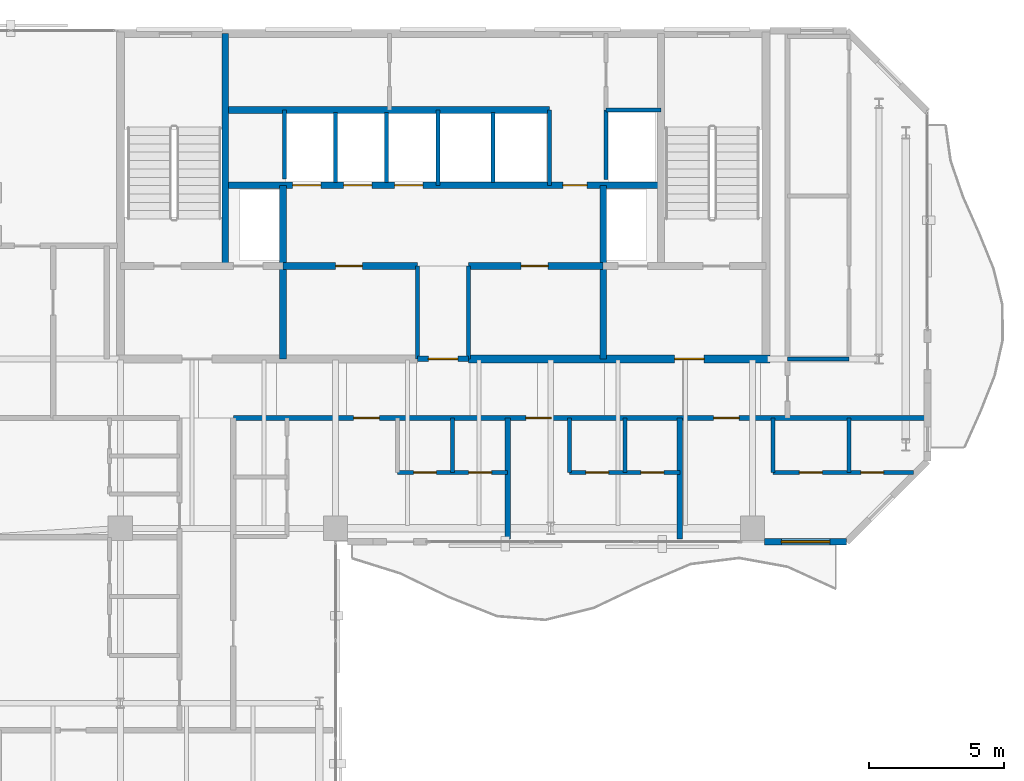
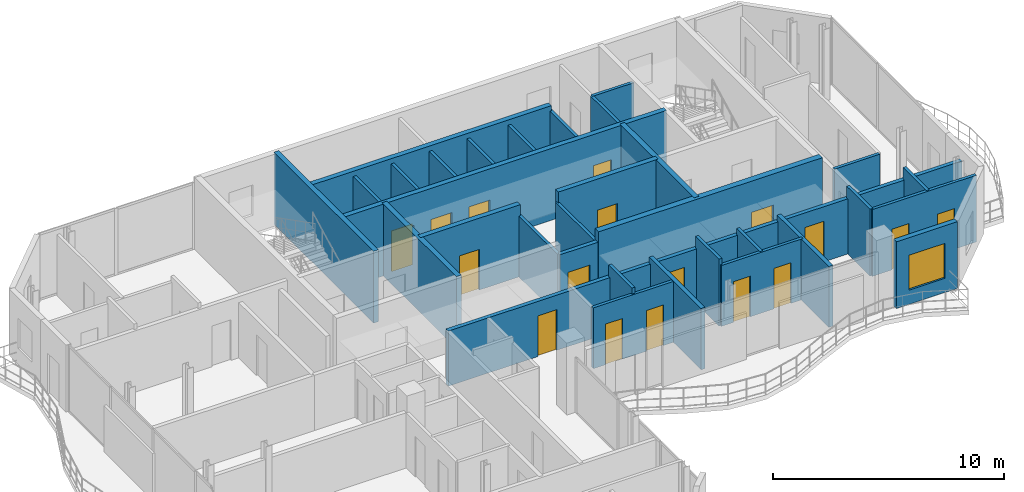
# One storey, part 19 of 22: 32 walls, 17 doors, 1 window, 18 openings.
"""IFC4 building model written with IfcOpenShell, lengths in metres."""

from ifc_helpers import new_model, si_unit, direction, frame, frame_2d, origin, place, context, subcontext, project, spatial, rectangle, extrude, material, layer, layer_set, type_object, element, fill, save


model = new_model("IFC4")

# Units and contexts
model_context = context("Model", 3, precision=1e-05, world=origin(), true_north=direction((0.0, 1.0)))
body_context = subcontext(model_context, "Body", "Model", "MODEL_VIEW")
ifc_project = project(units=[si_unit("LENGTHUNIT", "METRE"), si_unit("AREAUNIT", "SQUARE_METRE"), si_unit("VOLUMEUNIT", "CUBIC_METRE"), si_unit("PLANEANGLEUNIT", "RADIAN"), si_unit("MASSUNIT", "GRAM", prefix="KILO")], contexts=[model_context])

# Site, building, storey
site_placement = place(None, origin())
site = spatial("IfcSite", under=ifc_project, at=site_placement, CompositionType="ELEMENT")
building_placement = place(site_placement, origin())
building = spatial("IfcBuilding", under=site, at=building_placement, Name="Catumbela Crestline Tower", CompositionType="ELEMENT")
storey_placement = place(building_placement, frame((0.0, 0.0, 229.8)))
storey = spatial("IfcBuildingStorey", under=building, at=storey_placement, Name="L59", CompositionType="ELEMENT", Elevation=229.8)

# Walls
ifc_material_1 = material(Name="Concrete C50/60", Category="concrete")
ifc_layer_1 = layer(ifc_material_1, 0.25, Name="Concrete C50/60")
ifc_layer_set_1 = layer_set([ifc_layer_1], Name="Concrete C50/60")
wall_type_1 = type_object("IfcWallType", Name="CW-250D", PredefinedType="SHEAR", material=ifc_layer_set_1)
wall_1_placement = place(storey_placement, frame((19.9, 34.25, 0.0), z_axis=(0.0, 0.0, 1.0), x_axis=(0.0, 1.0, 0.0)))
element("IfcWall", 1, at=wall_1_placement, inside=storey, type_object=wall_type_1, Name="L59 Structural Core Shear Wall WWEB", PredefinedType="SHEAR", context=body_context, shape_type="SweptSolid", body=[
    extrude(rectangle(XDim=8.65, YDim=0.25, at=frame_2d((4.325, 0.0))), origin(), (0.0, 0.0, 1.0), 3.8),
])
for number, where, z_axis, x_axis, name in (
    (2, (22.05, 30.8, 0.0), (0.0, 0.0, 1.0), (0.0, 1.0, 0.0), "L59 Structural Core Shear Wall FFW"),
    (3, (33.95, 30.8, 0.0), (0.0, 0.0, 1.0), (0.0, 1.0, 0.0), "L59 Structural Core Shear Wall FFE"),
):
    element("IfcWall", number, at=place(storey_placement, frame(where, z_axis=z_axis, x_axis=x_axis)), inside=storey, type_object=wall_type_1, Name=name, PredefinedType="SHEAR", context=body_context, shape_type="SweptSolid", body=[
        extrude(rectangle(XDim=6.45, YDim=0.25, at=frame_2d((3.225, 0.0))), origin(), (0.0, 0.0, 1.0), 3.8),
    ])

# Wall, opening, door
wall_2_placement = place(storey_placement, frame((22.05, 34.25, 0.0), z_axis=(0.0, 0.0, 1.0), x_axis=(1.0, 0.0, 0.0)))
wall_2 = element("IfcWall", 4, at=wall_2_placement, inside=storey, type_object=wall_type_1, Name="L59 Structural Core Shear Wall LIFTS-W", PredefinedType="SHEAR", context=body_context, shape_type="SweptSolid", body=[
    extrude(rectangle(XDim=5.0, YDim=0.25, at=frame_2d((2.5, 0.0))), origin(), (0.0, 0.0, 1.0), 3.8),
])
opening_1_placement = place(wall_2_placement, frame((1.95, 0.0, 0.0)))
opening_1 = element("IfcOpeningElement", 5, at=opening_1_placement, cuts=wall_2, Name="Opening DF9-100", PredefinedType="OPENING", context=body_context, shape_type="SweptSolid", body=[
    extrude(rectangle(XDim=1.0, YDim=2.15, at=frame_2d((0.5, 1.075))), frame((0.0, 0.135, 0.0), z_axis=(0.0, -1.0, 0.0), x_axis=(1.0, 0.0, 0.0)), (0.0, 0.0, 1.0), 0.27),
])
ifc_material_2 = material(Name="Stainless steel EN 1.4401", Category="steel")
door_type_1 = type_object("IfcDoorType", Name="DF9-100", OperationType="NOTDEFINED", PredefinedType="DOOR", material=ifc_material_2)
door_1_placement = place(opening_1_placement, origin())
door_1 = element("IfcDoor", 6, at=door_1_placement, inside=storey, type_object=door_type_1, Name="L59 Interior Door DR-L59-RECL1", OperationType="SINGLE_SWING_LEFT", OverallHeight=2.15, OverallWidth=1.0, PredefinedType="DOOR", context=body_context, shape_type="SweptSolid", body=[
    extrude(rectangle(XDim=1.0, YDim=2.15, at=frame_2d((0.5, 1.075))), frame((0.0, 0.025, 0.0), z_axis=(0.0, -1.0, 0.0), x_axis=(1.0, 0.0, 0.0)), (0.0, 0.0, 1.0), 0.05),
])
fill(opening_1, door_1)

wall_3_placement = place(storey_placement, frame((28.95, 34.25, 0.0), z_axis=(0.0, 0.0, 1.0), x_axis=(1.0, 0.0, 0.0)))
wall_3 = element("IfcWall", 7, at=wall_3_placement, inside=storey, type_object=wall_type_1, Name="L59 Structural Core Shear Wall LIFTS-E", PredefinedType="SHEAR", context=body_context, shape_type="SweptSolid", body=[
    extrude(rectangle(XDim=5.0, YDim=0.25, at=frame_2d((2.5, 0.0))), origin(), (0.0, 0.0, 1.0), 3.8),
])
opening_2_placement = place(wall_3_placement, frame((1.95, 0.0, 0.0)))
opening_2 = element("IfcOpeningElement", 8, at=opening_2_placement, cuts=wall_3, Name="Opening DF9-100", PredefinedType="OPENING", context=body_context, shape_type="SweptSolid", body=[
    extrude(rectangle(XDim=1.0, YDim=2.15, at=frame_2d((0.5, 1.075))), frame((0.0, 0.135, 0.0), z_axis=(0.0, -1.0, 0.0), x_axis=(1.0, 0.0, 0.0)), (0.0, 0.0, 1.0), 0.27),
])
door_2_placement = place(opening_2_placement, origin())
door_2 = element("IfcDoor", 9, at=door_2_placement, inside=storey, type_object=door_type_1, Name="L59 Interior Door DR-L59-RECL2", OperationType="SINGLE_SWING_RIGHT", OverallHeight=2.15, OverallWidth=1.0, PredefinedType="DOOR", context=body_context, shape_type="SweptSolid", body=[
    extrude(rectangle(XDim=1.0, YDim=2.15, at=frame_2d((0.5, 1.075))), frame((0.0, 0.025, 0.0), z_axis=(0.0, -1.0, 0.0), x_axis=(1.0, 0.0, 0.0)), (0.0, 0.0, 1.0), 0.05),
])
fill(opening_2, door_2)

# Wall, openings, doors
wall_4_placement = place(storey_placement, frame((19.9, 37.25, 0.0), z_axis=(0.0, 0.0, 1.0), x_axis=(1.0, 0.0, 0.0)))
wall_4 = element("IfcWall", 10, at=wall_4_placement, inside=storey, type_object=wall_type_1, Name="L59 Structural Core Shear Wall LIFTN", PredefinedType="SHEAR", context=body_context, shape_type="SweptSolid", body=[
    extrude(rectangle(XDim=16.2, YDim=0.25, at=frame_2d((8.1, 0.0))), origin(), (0.0, 0.0, 1.0), 3.8),
])
opening_3_placement = place(wall_4_placement, frame((12.55, 0.0, 0.0)))
opening_3 = element("IfcOpeningElement", 11, at=opening_3_placement, cuts=wall_4, Name="Opening DF9-090", PredefinedType="OPENING", context=body_context, shape_type="SweptSolid", body=[
    extrude(rectangle(XDim=0.9, YDim=2.15, at=frame_2d((0.45, 1.075))), frame((0.0, 0.135, 0.0), z_axis=(0.0, -1.0, 0.0), x_axis=(1.0, 0.0, 0.0)), (0.0, 0.0, 1.0), 0.27),
])
opening_4_placement = place(wall_4_placement, frame((2.5, 0.0, 0.0)))
opening_4 = element("IfcOpeningElement", 12, at=opening_4_placement, cuts=wall_4, Name="Opening LD-105", PredefinedType="OPENING", context=body_context, shape_type="SweptSolid", body=[
    extrude(rectangle(XDim=1.05, YDim=2.15, at=frame_2d((0.525, 1.075))), frame((0.0, 0.135, 0.0), z_axis=(0.0, -1.0, 0.0), x_axis=(1.0, 0.0, 0.0)), (0.0, 0.0, 1.0), 0.27),
])
opening_5_placement = place(wall_4_placement, frame((4.4, 0.0, 0.0)))
opening_5 = element("IfcOpeningElement", 13, at=opening_5_placement, cuts=wall_4, Name="Opening LD-105", PredefinedType="OPENING", context=body_context, shape_type="SweptSolid", body=[
    extrude(rectangle(XDim=1.05, YDim=2.15, at=frame_2d((0.525, 1.075))), frame((0.0, 0.135, 0.0), z_axis=(0.0, -1.0, 0.0), x_axis=(1.0, 0.0, 0.0)), (0.0, 0.0, 1.0), 0.27),
])
opening_6_placement = place(wall_4_placement, frame((6.3, 0.0, 0.0)))
opening_6 = element("IfcOpeningElement", 14, at=opening_6_placement, cuts=wall_4, Name="Opening LD-105", PredefinedType="OPENING", context=body_context, shape_type="SweptSolid", body=[
    extrude(rectangle(XDim=1.05, YDim=2.15, at=frame_2d((0.525, 1.075))), frame((0.0, 0.135, 0.0), z_axis=(0.0, -1.0, 0.0), x_axis=(1.0, 0.0, 0.0)), (0.0, 0.0, 1.0), 0.27),
])
door_type_2 = type_object("IfcDoorType", Name="DF9-090", OperationType="NOTDEFINED", PredefinedType="DOOR", material=ifc_material_2)
door_3_placement = place(opening_3_placement, origin())
door_3 = element("IfcDoor", 15, at=door_3_placement, inside=storey, type_object=door_type_2, Name="L59 Interior Door DR-L59-CPAS1", OperationType="SINGLE_SWING_LEFT", OverallHeight=2.15, OverallWidth=0.9, PredefinedType="DOOR", context=body_context, shape_type="SweptSolid", body=[
    extrude(rectangle(XDim=0.9, YDim=2.15, at=frame_2d((0.45, 1.075))), frame((0.0, 0.025, 0.0), z_axis=(0.0, -1.0, 0.0), x_axis=(1.0, 0.0, 0.0)), (0.0, 0.0, 1.0), 0.05),
])
fill(opening_3, door_3)
door_type_3 = type_object("IfcDoorType", Name="LD-105", OperationType="NOTDEFINED", PredefinedType="DOOR", material=ifc_material_2)
door_4_placement = place(opening_4_placement, origin())
door_4 = element("IfcDoor", 16, at=door_4_placement, inside=storey, type_object=door_type_3, Name="L59 Lift Landing Sliding Door PL-H1", OperationType="DOUBLE_DOOR_SLIDING", OverallHeight=2.15, OverallWidth=1.05, PredefinedType="DOOR", context=body_context, shape_type="SweptSolid", body=[
    extrude(rectangle(XDim=1.05, YDim=2.15, at=frame_2d((0.525, 1.075))), frame((0.0, 0.025, 0.0), z_axis=(0.0, -1.0, 0.0), x_axis=(1.0, 0.0, 0.0)), (0.0, 0.0, 1.0), 0.05),
])
fill(opening_4, door_4)
door_5_placement = place(opening_5_placement, origin())
door_5 = element("IfcDoor", 17, at=door_5_placement, inside=storey, type_object=door_type_3, Name="L59 Lift Landing Sliding Door PL-H2", OperationType="DOUBLE_DOOR_SLIDING", OverallHeight=2.15, OverallWidth=1.05, PredefinedType="DOOR", context=body_context, shape_type="SweptSolid", body=[
    extrude(rectangle(XDim=1.05, YDim=2.15, at=frame_2d((0.525, 1.075))), frame((0.0, 0.025, 0.0), z_axis=(0.0, -1.0, 0.0), x_axis=(1.0, 0.0, 0.0)), (0.0, 0.0, 1.0), 0.05),
])
fill(opening_5, door_5)
door_6_placement = place(opening_6_placement, origin())
door_6 = element("IfcDoor", 18, at=door_6_placement, inside=storey, type_object=door_type_3, Name="L59 Lift Landing Sliding Door PL-H3", OperationType="DOUBLE_DOOR_SLIDING", OverallHeight=2.15, OverallWidth=1.05, PredefinedType="DOOR", context=body_context, shape_type="SweptSolid", body=[
    extrude(rectangle(XDim=1.05, YDim=2.15, at=frame_2d((0.525, 1.075))), frame((0.0, 0.025, 0.0), z_axis=(0.0, -1.0, 0.0), x_axis=(1.0, 0.0, 0.0)), (0.0, 0.0, 1.0), 0.05),
])
fill(opening_6, door_6)

# Wall
wall_5_placement = place(storey_placement, frame((19.9, 40.05, 0.0), z_axis=(0.0, 0.0, 1.0), x_axis=(1.0, 0.0, 0.0)))
element("IfcWall", 19, at=wall_5_placement, inside=storey, type_object=wall_type_1, Name="L59 Structural Core Shear Wall COREN", PredefinedType="SHEAR", context=body_context, shape_type="SweptSolid", body=[
    extrude(rectangle(XDim=12.05, YDim=0.25, at=frame_2d((6.025, 0.0))), origin(), (0.0, 0.0, 1.0), 3.8),
])

# Wall, opening, door
ifc_material_3 = material(Name="Concrete C45/55", Category="concrete")
ifc_layer_2 = layer(ifc_material_3, 0.3, Name="Concrete C45/55")
ifc_layer_set_2 = layer_set([ifc_layer_2], Name="Concrete C45/55")
wall_type_2 = type_object("IfcWallType", Name="CW-300C", PredefinedType="SHEAR", material=ifc_layer_set_2)
wall_6_placement = place(storey_placement, frame((28.95, 30.8, 0.0), z_axis=(0.0, 0.0, 1.0), x_axis=(1.0, 0.0, 0.0)))
wall_6 = element("IfcWall", 20, at=wall_6_placement, inside=storey, type_object=wall_type_2, Name="L59 Structural Core Shear Wall SE", PredefinedType="SHEAR", context=body_context, shape_type="SweptSolid", body=[
    extrude(rectangle(XDim=11.2, YDim=0.3, at=frame_2d((5.6, 0.0))), origin(), (0.0, 0.0, 1.0), 3.8),
])
opening_7_placement = place(wall_6_placement, frame((7.65, 0.0, 0.0)))
opening_7 = element("IfcOpeningElement", 21, at=opening_7_placement, cuts=wall_6, Name="Opening DF9-110", PredefinedType="OPENING", context=body_context, shape_type="SweptSolid", body=[
    extrude(rectangle(XDim=1.1, YDim=2.15, at=frame_2d((0.55, 1.075))), frame((0.0, 0.16, 0.0), z_axis=(0.0, -1.0, 0.0), x_axis=(1.0, 0.0, 0.0)), (0.0, 0.0, 1.0), 0.32),
])
door_type_4 = type_object("IfcDoorType", Name="DF9-110", OperationType="NOTDEFINED", PredefinedType="DOOR", material=ifc_material_2)
door_7_placement = place(opening_7_placement, origin())
door_7 = element("IfcDoor", 22, at=door_7_placement, inside=storey, type_object=door_type_4, Name="L59 Interior Door DR-L59-FFE-S", OperationType="SINGLE_SWING_RIGHT", OverallHeight=2.15, OverallWidth=1.1, PredefinedType="DOOR", context=body_context, shape_type="SweptSolid", body=[
    extrude(rectangle(XDim=1.1, YDim=2.15, at=frame_2d((0.55, 1.075))), frame((0.0, 0.025, 0.0), z_axis=(0.0, -1.0, 0.0), x_axis=(1.0, 0.0, 0.0)), (0.0, 0.0, 1.0), 0.05),
])
fill(opening_7, door_7)

ifc_material_4 = material(Name="Acoustic gypsum and mineral-wool partition")
ifc_layer_3 = layer(ifc_material_4, 0.2, Name="Acoustic gypsum and mineral-wool partition")
ifc_layer_set_3 = layer_set([ifc_layer_3], Name="Acoustic gypsum and mineral-wool partition")
wall_type_3 = type_object("IfcWallType", Name="WC-200", PredefinedType="PARTITIONING", material=ifc_layer_set_3)
wall_7_placement = place(storey_placement, frame((27.05, 30.8, 0.0), z_axis=(0.0, 0.0, 1.0), x_axis=(1.0, 0.0, 0.0)))
wall_7 = element("IfcWall", 23, at=wall_7_placement, inside=storey, type_object=wall_type_3, Name="L59 Interior Partition PW-L59-CLOBS", PredefinedType="PARTITIONING", context=body_context, shape_type="SweptSolid", body=[
    extrude(rectangle(XDim=1.9, YDim=0.2, at=frame_2d((0.95, 0.0))), origin(), (0.0, 0.0, 1.0), 3.22),
])
opening_8_placement = place(wall_7_placement, frame((0.4, 0.0, 0.0)))
opening_8 = element("IfcOpeningElement", 24, at=opening_8_placement, cuts=wall_7, Name="Opening DF9-110", PredefinedType="OPENING", context=body_context, shape_type="SweptSolid", body=[
    extrude(rectangle(XDim=1.1, YDim=2.15, at=frame_2d((0.55, 1.075))), frame((0.0, 0.11, 0.0), z_axis=(0.0, -1.0, 0.0), x_axis=(1.0, 0.0, 0.0)), (0.0, 0.0, 1.0), 0.22),
])
door_8_placement = place(opening_8_placement, origin())
door_8 = element("IfcDoor", 25, at=door_8_placement, inside=storey, type_object=door_type_4, Name="L59 Interior Door DR-L59-CLOBS", OperationType="SINGLE_SWING_LEFT", OverallHeight=2.15, OverallWidth=1.1, PredefinedType="DOOR", context=body_context, shape_type="SweptSolid", body=[
    extrude(rectangle(XDim=1.1, YDim=2.15, at=frame_2d((0.55, 1.075))), frame((0.0, 0.025, 0.0), z_axis=(0.0, -1.0, 0.0), x_axis=(1.0, 0.0, 0.0)), (0.0, 0.0, 1.0), 0.05),
])
fill(opening_8, door_8)

# Wall, openings, doors
wall_8_placement = place(storey_placement, frame((20.2, 28.6, 0.0), z_axis=(0.0, 0.0, 1.0), x_axis=(1.0, 0.0, 0.0)))
wall_8 = element("IfcWall", 26, at=wall_8_placement, inside=storey, type_object=wall_type_3, Name="L59 Interior Partition PW-L59-RCWR", PredefinedType="PARTITIONING", context=body_context, shape_type="SweptSolid", body=[
    extrude(rectangle(XDim=25.7, YDim=0.2, at=frame_2d((12.85, 0.0))), origin(), (0.0, 0.0, 1.0), 2.92),
])
opening_9_placement = place(wall_8_placement, frame((4.475, 0.0, 0.0)))
opening_9 = element("IfcOpeningElement", 27, at=opening_9_placement, cuts=wall_8, Name="Opening DF6-095", PredefinedType="OPENING", context=body_context, shape_type="SweptSolid", body=[
    extrude(rectangle(XDim=0.95, YDim=2.15, at=frame_2d((0.475, 1.075))), frame((0.0, 0.11, 0.0), z_axis=(0.0, -1.0, 0.0), x_axis=(1.0, 0.0, 0.0)), (0.0, 0.0, 1.0), 0.22),
])
opening_10_placement = place(wall_8_placement, frame((10.875, 0.0, 0.0)))
opening_10 = element("IfcOpeningElement", 28, at=opening_10_placement, cuts=wall_8, Name="Opening DF6-095", PredefinedType="OPENING", context=body_context, shape_type="SweptSolid", body=[
    extrude(rectangle(XDim=0.95, YDim=2.15, at=frame_2d((0.475, 1.075))), frame((0.0, 0.11, 0.0), z_axis=(0.0, -1.0, 0.0), x_axis=(1.0, 0.0, 0.0)), (0.0, 0.0, 1.0), 0.22),
])
opening_11_placement = place(wall_8_placement, frame((17.854, 0.0, 0.0)))
opening_11 = element("IfcOpeningElement", 29, at=opening_11_placement, cuts=wall_8, Name="Opening DF6-095", PredefinedType="OPENING", context=body_context, shape_type="SweptSolid", body=[
    extrude(rectangle(XDim=0.95, YDim=2.15, at=frame_2d((0.475, 1.075))), frame((0.0, 0.11, 0.0), z_axis=(0.0, -1.0, 0.0), x_axis=(1.0, 0.0, 0.0)), (0.0, 0.0, 1.0), 0.22),
])
ifc_material_5 = material(Name="Aluminium alloy AW-6060-T66", Category="aluminium")
door_type_5 = type_object("IfcDoorType", Name="DF6-095", OperationType="NOTDEFINED", PredefinedType="DOOR", material=ifc_material_5)
door_9_placement = place(opening_9_placement, origin())
door_9 = element("IfcDoor", 30, at=door_9_placement, inside=storey, type_object=door_type_5, Name="L59 Interior Door DR-L59-S1-ENT", OperationType="SINGLE_SWING_LEFT", OverallHeight=2.15, OverallWidth=0.95, PredefinedType="DOOR", context=body_context, shape_type="SweptSolid", body=[
    extrude(rectangle(XDim=0.95, YDim=2.15, at=frame_2d((0.475, 1.075))), frame((0.0, 0.025, 0.0), z_axis=(0.0, -1.0, 0.0), x_axis=(1.0, 0.0, 0.0)), (0.0, 0.0, 1.0), 0.05),
])
fill(opening_9, door_9)
door_10_placement = place(opening_10_placement, origin())
door_10 = element("IfcDoor", 31, at=door_10_placement, inside=storey, type_object=door_type_5, Name="L59 Interior Door DR-L59-S2-ENT", OperationType="SINGLE_SWING_RIGHT", OverallHeight=2.15, OverallWidth=0.95, PredefinedType="DOOR", context=body_context, shape_type="SweptSolid", body=[
    extrude(rectangle(XDim=0.95, YDim=2.15, at=frame_2d((0.475, 1.075))), frame((0.0, 0.025, 0.0), z_axis=(0.0, -1.0, 0.0), x_axis=(1.0, 0.0, 0.0)), (0.0, 0.0, 1.0), 0.05),
])
fill(opening_10, door_10)
door_11_placement = place(opening_11_placement, origin())
door_11 = element("IfcDoor", 32, at=door_11_placement, inside=storey, type_object=door_type_5, Name="L59 Interior Door DR-L59-S3-ENT", OperationType="SINGLE_SWING_LEFT", OverallHeight=2.15, OverallWidth=0.95, PredefinedType="DOOR", context=body_context, shape_type="SweptSolid", body=[
    extrude(rectangle(XDim=0.95, YDim=2.15, at=frame_2d((0.475, 1.075))), frame((0.0, 0.025, 0.0), z_axis=(0.0, -1.0, 0.0), x_axis=(1.0, 0.0, 0.0)), (0.0, 0.0, 1.0), 0.05),
])
fill(opening_11, door_11)

# Wall, opening, window
ifc_material_6 = material(Name="Angolan grey-ochre granite", Category="masonry")
ifc_layer_4 = layer(ifc_material_6, 0.25, Name="Angolan grey-ochre granite")
ifc_layer_set_4 = layer_set([ifc_layer_4], Name="Angolan grey-ochre granite")
wall_type_4 = type_object("IfcWallType", Name="WE-250", PredefinedType="STANDARD", material=ifc_layer_set_4)
wall_9_placement = place(storey_placement, frame((39.95, 24.0, 0.0), z_axis=(0.0, 0.0, 1.0), x_axis=(1.0, 0.0, 0.0)))
wall_9 = element("IfcWall", 33, at=wall_9_placement, inside=storey, type_object=wall_type_4, Name="L59 Granite Punched Window Wall 3-3", PredefinedType="STANDARD", context=body_context, shape_type="SweptSolid", body=[
    extrude(rectangle(XDim=3.05, YDim=0.25, at=frame_2d((1.525, 0.0))), origin(), (0.0, 0.0, 1.0), 3.53),
])
opening_12_placement = place(wall_9_placement, frame((0.625, 0.0, 0.75)))
opening_12 = element("IfcOpeningElement", 34, at=opening_12_placement, cuts=wall_9, Name="Opening WN-01", PredefinedType="OPENING", context=body_context, shape_type="SweptSolid", body=[
    extrude(rectangle(XDim=1.8, YDim=1.85, at=frame_2d((0.9, 0.925))), frame((0.0, 0.135, 0.0), z_axis=(0.0, -1.0, 0.0), x_axis=(1.0, 0.0, 0.0)), (0.0, 0.0, 1.0), 0.27),
])
ifc_material_7 = material(Name="Low-E laminated solar-control double glazing", Category="glass")
window_type = type_object("IfcWindowType", Name="WF-1800", PartitioningType="SINGLE_PANEL", PredefinedType="WINDOW", material=ifc_material_7)
window_placement = place(opening_12_placement, origin())
window = element("IfcWindow", 35, at=window_placement, inside=storey, type_object=window_type, Name="L59 Facade Vision Window 421", OverallHeight=1.85, OverallWidth=1.8, PartitioningType="SINGLE_PANEL", PredefinedType="WINDOW", context=body_context, shape_type="SweptSolid", body=[
    extrude(rectangle(XDim=1.8, YDim=1.85, at=frame_2d((0.9, 0.925))), frame((0.0, 0.03, 0.0), z_axis=(0.0, -1.0, 0.0), x_axis=(1.0, 0.0, 0.0)), (0.0, 0.0, 1.0), 0.06),
])
fill(opening_12, window)

# Walls
ifc_layer_5 = layer(ifc_material_4, 0.15, Name="Acoustic gypsum and mineral-wool partition")
ifc_layer_set_5 = layer_set([ifc_layer_5], Name="Acoustic gypsum and mineral-wool partition")
wall_type_5 = type_object("IfcWallType", Name="WP-150", PredefinedType="PARTITIONING", material=ifc_layer_set_5)
wall_10_placement = place(storey_placement, frame((34.05, 40.05, 0.0), z_axis=(0.0, 0.0, 1.0), x_axis=(1.0, 0.0, 0.0)))
element("IfcWall", 36, at=wall_10_placement, inside=storey, type_object=wall_type_5, Name="L59 Interior Partition PW-L59-CR-ES", PredefinedType="PARTITIONING", context=body_context, shape_type="SweptSolid", body=[
    extrude(rectangle(XDim=2.05, YDim=0.15, at=frame_2d((1.025, 0.0))), origin(), (0.0, 0.0, 1.0), 3.53),
])
wall_11_placement = place(storey_placement, frame((40.8, 30.8, 0.0), z_axis=(0.0, 0.0, 1.0), x_axis=(1.0, 0.0, 0.0)))
element("IfcWall", 37, at=wall_11_placement, inside=storey, type_object=wall_type_5, Name="L59 Interior Partition PW-L59-NE1-KBS", PredefinedType="PARTITIONING", context=body_context, shape_type="SweptSolid", body=[
    extrude(rectangle(XDim=2.28, YDim=0.15, at=frame_2d((1.14, 0.0))), origin(), (0.0, 0.0, 1.0), 2.92),
])
wall_12_placement = place(storey_placement, frame((28.35, 26.576, 0.0), z_axis=(0.0, 0.0, 1.0), x_axis=(0.0, 1.0, 0.0)))
element("IfcWall", 38, at=wall_12_placement, inside=storey, type_object=wall_type_5, Name="L59 Interior Partition PW-L59-S1-KBM", PredefinedType="PARTITIONING", context=body_context, shape_type="SweptSolid", body=[
    extrude(rectangle(XDim=2.024, YDim=0.15, at=frame_2d((1.012, 0.0))), origin(), (0.0, 0.0, 1.0), 3.53),
])

# Wall, openings, doors
wall_13_placement = place(storey_placement, frame((26.3, 26.576, 0.0), z_axis=(0.0, 0.0, 1.0), x_axis=(1.0, 0.0, 0.0)))
wall_13 = element("IfcWall", 39, at=wall_13_placement, inside=storey, type_object=wall_type_5, Name="L59 Interior Partition PW-L59-S1-KBD1", PredefinedType="PARTITIONING", context=body_context, shape_type="SweptSolid", body=[
    extrude(rectangle(XDim=4.1, YDim=0.15, at=frame_2d((2.05, 0.0))), origin(), (0.0, 0.0, 1.0), 3.22),
])
opening_13_placement = place(wall_13_placement, frame((0.6, 0.0, 0.0)))
opening_13 = element("IfcOpeningElement", 40, at=opening_13_placement, cuts=wall_13, Name="Opening DI-085", PredefinedType="OPENING", context=body_context, shape_type="SweptSolid", body=[
    extrude(rectangle(XDim=0.85, YDim=2.15, at=frame_2d((0.425, 1.075))), frame((0.0, 0.085, 0.0), z_axis=(0.0, -1.0, 0.0), x_axis=(1.0, 0.0, 0.0)), (0.0, 0.0, 1.0), 0.17),
])
opening_14_placement = place(wall_13_placement, frame((2.65, 0.0, 0.0)))
opening_14 = element("IfcOpeningElement", 41, at=opening_14_placement, cuts=wall_13, Name="Opening DI-085", PredefinedType="OPENING", context=body_context, shape_type="SweptSolid", body=[
    extrude(rectangle(XDim=0.85, YDim=2.15, at=frame_2d((0.425, 1.075))), frame((0.0, 0.085, 0.0), z_axis=(0.0, -1.0, 0.0), x_axis=(1.0, 0.0, 0.0)), (0.0, 0.0, 1.0), 0.17),
])
door_type_6 = type_object("IfcDoorType", Name="DI-085", OperationType="NOTDEFINED", PredefinedType="DOOR", material=ifc_material_5)
door_12_placement = place(opening_13_placement, origin())
door_12 = element("IfcDoor", 42, at=door_12_placement, inside=storey, type_object=door_type_6, Name="L59 Interior Door DR-L59-S1-BTH", OperationType="SINGLE_SWING_LEFT", OverallHeight=2.15, OverallWidth=0.85, PredefinedType="DOOR", context=body_context, shape_type="SweptSolid", body=[
    extrude(rectangle(XDim=0.85, YDim=2.15, at=frame_2d((0.425, 1.075))), frame((0.0, 0.025, 0.0), z_axis=(0.0, -1.0, 0.0), x_axis=(1.0, 0.0, 0.0)), (0.0, 0.0, 1.0), 0.05),
])
fill(opening_13, door_12)
door_13_placement = place(opening_14_placement, origin())
door_13 = element("IfcDoor", 43, at=door_13_placement, inside=storey, type_object=door_type_6, Name="L59 Interior Door DR-L59-S1-KIT", OperationType="SINGLE_SWING_RIGHT", OverallHeight=2.15, OverallWidth=0.85, PredefinedType="DOOR", context=body_context, shape_type="SweptSolid", body=[
    extrude(rectangle(XDim=0.85, YDim=2.15, at=frame_2d((0.425, 1.075))), frame((0.0, 0.025, 0.0), z_axis=(0.0, -1.0, 0.0), x_axis=(1.0, 0.0, 0.0)), (0.0, 0.0, 1.0), 0.05),
])
fill(opening_14, door_13)

# Walls
wall_14_placement = place(storey_placement, frame((32.7, 26.576, 0.0), z_axis=(0.0, 0.0, 1.0), x_axis=(0.0, 1.0, 0.0)))
element("IfcWall", 44, at=wall_14_placement, inside=storey, type_object=wall_type_5, Name="L59 Interior Partition PW-L59-S2-KBW", PredefinedType="PARTITIONING", context=body_context, shape_type="SweptSolid", body=[
    extrude(rectangle(XDim=2.024, YDim=0.15, at=frame_2d((1.012, 0.0))), origin(), (0.0, 0.0, 1.0), 3.53),
])
wall_15_placement = place(storey_placement, frame((34.75, 26.576, 0.0), z_axis=(0.0, 0.0, 1.0), x_axis=(0.0, 1.0, 0.0)))
element("IfcWall", 45, at=wall_15_placement, inside=storey, type_object=wall_type_5, Name="L59 Interior Partition PW-L59-S2-KBM", PredefinedType="PARTITIONING", context=body_context, shape_type="SweptSolid", body=[
    extrude(rectangle(XDim=2.024, YDim=0.15, at=frame_2d((1.012, 0.0))), origin(), (0.0, 0.0, 1.0), 3.22),
])

# Wall, openings, doors
wall_16_placement = place(storey_placement, frame((32.7, 26.576, 0.0), z_axis=(0.0, 0.0, 1.0), x_axis=(1.0, 0.0, 0.0)))
wall_16 = element("IfcWall", 46, at=wall_16_placement, inside=storey, type_object=wall_type_5, Name="L59 Interior Partition PW-L59-S2-KBD1", PredefinedType="PARTITIONING", context=body_context, shape_type="SweptSolid", body=[
    extrude(rectangle(XDim=4.1, YDim=0.15, at=frame_2d((2.05, 0.0))), origin(), (0.0, 0.0, 1.0), 3.22),
])
opening_15_placement = place(wall_16_placement, frame((0.6, 0.0, 0.0)))
opening_15 = element("IfcOpeningElement", 47, at=opening_15_placement, cuts=wall_16, Name="Opening DI-085", PredefinedType="OPENING", context=body_context, shape_type="SweptSolid", body=[
    extrude(rectangle(XDim=0.85, YDim=2.15, at=frame_2d((0.425, 1.075))), frame((0.0, 0.085, 0.0), z_axis=(0.0, -1.0, 0.0), x_axis=(1.0, 0.0, 0.0)), (0.0, 0.0, 1.0), 0.17),
])
opening_16_placement = place(wall_16_placement, frame((2.65, 0.0, 0.0)))
opening_16 = element("IfcOpeningElement", 48, at=opening_16_placement, cuts=wall_16, Name="Opening DI-085", PredefinedType="OPENING", context=body_context, shape_type="SweptSolid", body=[
    extrude(rectangle(XDim=0.85, YDim=2.15, at=frame_2d((0.425, 1.075))), frame((0.0, 0.085, 0.0), z_axis=(0.0, -1.0, 0.0), x_axis=(1.0, 0.0, 0.0)), (0.0, 0.0, 1.0), 0.17),
])
door_14_placement = place(opening_15_placement, origin())
door_14 = element("IfcDoor", 49, at=door_14_placement, inside=storey, type_object=door_type_6, Name="L59 Interior Door DR-L59-S2-BTH", OperationType="SINGLE_SWING_LEFT", OverallHeight=2.15, OverallWidth=0.85, PredefinedType="DOOR", context=body_context, shape_type="SweptSolid", body=[
    extrude(rectangle(XDim=0.85, YDim=2.15, at=frame_2d((0.425, 1.075))), frame((0.0, 0.025, 0.0), z_axis=(0.0, -1.0, 0.0), x_axis=(1.0, 0.0, 0.0)), (0.0, 0.0, 1.0), 0.05),
])
fill(opening_15, door_14)
door_15_placement = place(opening_16_placement, origin())
door_15 = element("IfcDoor", 50, at=door_15_placement, inside=storey, type_object=door_type_6, Name="L59 Interior Door DR-L59-S2-KIT", OperationType="SINGLE_SWING_RIGHT", OverallHeight=2.15, OverallWidth=0.85, PredefinedType="DOOR", context=body_context, shape_type="SweptSolid", body=[
    extrude(rectangle(XDim=0.85, YDim=2.15, at=frame_2d((0.425, 1.075))), frame((0.0, 0.025, 0.0), z_axis=(0.0, -1.0, 0.0), x_axis=(1.0, 0.0, 0.0)), (0.0, 0.0, 1.0), 0.05),
])
fill(opening_16, door_15)

# Walls
for number, where, z_axis, x_axis, name in (
    (51, (40.258, 26.576, 0.0), (0.0, 0.0, 1.0), (0.0, 1.0, 0.0), "L59 Interior Partition PW-L59-S3-KBW"),
    (52, (43.079, 26.576, 0.0), (0.0, 0.0, 1.0), (0.0, 1.0, 0.0), "L59 Interior Partition PW-L59-S3-KBM"),
):
    element("IfcWall", number, at=place(storey_placement, frame(where, z_axis=z_axis, x_axis=x_axis)), inside=storey, type_object=wall_type_5, Name=name, PredefinedType="PARTITIONING", context=body_context, shape_type="SweptSolid", body=[
        extrude(rectangle(XDim=2.024, YDim=0.15, at=frame_2d((1.012, 0.0))), origin(), (0.0, 0.0, 1.0), 3.53),
    ])

# Wall, openings, doors
wall_17_placement = place(storey_placement, frame((40.258, 26.576, 0.0), z_axis=(0.0, 0.0, 1.0), x_axis=(1.0, 0.0, 0.0)))
wall_17 = element("IfcWall", 53, at=wall_17_placement, inside=storey, type_object=wall_type_5, Name="L59 Interior Partition PW-L59-S3-KBD1", PredefinedType="PARTITIONING", context=body_context, shape_type="SweptSolid", body=[
    extrude(rectangle(XDim=5.218, YDim=0.15, at=frame_2d((2.609, 0.0))), origin(), (0.0, 0.0, 1.0), 3.53),
])
opening_17_placement = place(wall_17_placement, frame((0.9855, 0.0, 0.0)))
opening_17 = element("IfcOpeningElement", 54, at=opening_17_placement, cuts=wall_17, Name="Opening DI-085", PredefinedType="OPENING", context=body_context, shape_type="SweptSolid", body=[
    extrude(rectangle(XDim=0.85, YDim=2.15, at=frame_2d((0.425, 1.075))), frame((0.0, 0.085, 0.0), z_axis=(0.0, -1.0, 0.0), x_axis=(1.0, 0.0, 0.0)), (0.0, 0.0, 1.0), 0.17),
])
opening_18_placement = place(wall_17_placement, frame((3.2665, 0.0, 0.0)))
opening_18 = element("IfcOpeningElement", 55, at=opening_18_placement, cuts=wall_17, Name="Opening DI-085", PredefinedType="OPENING", context=body_context, shape_type="SweptSolid", body=[
    extrude(rectangle(XDim=0.85, YDim=2.15, at=frame_2d((0.425, 1.075))), frame((0.0, 0.085, 0.0), z_axis=(0.0, -1.0, 0.0), x_axis=(1.0, 0.0, 0.0)), (0.0, 0.0, 1.0), 0.17),
])
door_16_placement = place(opening_17_placement, origin())
door_16 = element("IfcDoor", 56, at=door_16_placement, inside=storey, type_object=door_type_6, Name="L59 Interior Door DR-L59-S3-BTH", OperationType="SINGLE_SWING_LEFT", OverallHeight=2.15, OverallWidth=0.85, PredefinedType="DOOR", context=body_context, shape_type="SweptSolid", body=[
    extrude(rectangle(XDim=0.85, YDim=2.15, at=frame_2d((0.425, 1.075))), frame((0.0, 0.025, 0.0), z_axis=(0.0, -1.0, 0.0), x_axis=(1.0, 0.0, 0.0)), (0.0, 0.0, 1.0), 0.05),
])
fill(opening_17, door_16)
door_17_placement = place(opening_18_placement, origin())
door_17 = element("IfcDoor", 57, at=door_17_placement, inside=storey, type_object=door_type_6, Name="L59 Interior Door DR-L59-S3-KIT", OperationType="SINGLE_SWING_LEFT", OverallHeight=2.15, OverallWidth=0.85, PredefinedType="DOOR", context=body_context, shape_type="SweptSolid", body=[
    extrude(rectangle(XDim=0.85, YDim=2.15, at=frame_2d((0.425, 1.075))), frame((0.0, 0.025, 0.0), z_axis=(0.0, -1.0, 0.0), x_axis=(1.0, 0.0, 0.0)), (0.0, 0.0, 1.0), 0.05),
])
fill(opening_18, door_17)

# Walls
ifc_layer_6 = layer(ifc_material_4, 0.2, Name="Acoustic gypsum and mineral-wool partition")
ifc_layer_set_6 = layer_set([ifc_layer_6], Name="Acoustic gypsum and mineral-wool partition")
wall_type_6 = type_object("IfcWallType", Name="WY-200", PredefinedType="PARTITIONING", material=ifc_layer_set_6)
wall_18_placement = place(storey_placement, frame((30.4, 24.1, 0.0), z_axis=(0.0, 0.0, 1.0), x_axis=(0.0, 1.0, 0.0)))
element("IfcWall", 58, at=wall_18_placement, inside=storey, type_object=wall_type_6, Name="L59 Interior Partition PW-L59-RSPP-2", PredefinedType="PARTITIONING", context=body_context, shape_type="SweptSolid", body=[
    extrude(rectangle(XDim=4.5, YDim=0.2, at=frame_2d((2.25, 0.0))), origin(), (0.0, 0.0, 1.0), 3.24),
])
wall_19_placement = place(storey_placement, frame((36.8, 24.1, 0.0), z_axis=(0.0, 0.0, 1.0), x_axis=(0.0, 1.0, 0.0)))
element("IfcWall", 59, at=wall_19_placement, inside=storey, type_object=wall_type_6, Name="L59 Interior Partition PW-L59-RSPP-3", PredefinedType="PARTITIONING", context=body_context, shape_type="SweptSolid", body=[
    extrude(rectangle(XDim=4.5, YDim=0.2, at=frame_2d((2.25, 0.0))), origin(), (0.0, 0.0, 1.0), 3.22),
])
ifc_layer_7 = layer(ifc_material_4, 0.15, Name="Acoustic gypsum and mineral-wool partition")
ifc_layer_set_7 = layer_set([ifc_layer_7], Name="Acoustic gypsum and mineral-wool partition")
wall_type_7 = type_object("IfcWallType", Name="WS-150", PredefinedType="PLUMBINGWALL", material=ifc_layer_set_7)
for number, where, z_axis, x_axis, name in (
    (60, (27.05, 30.8, 0.0), (0.0, 0.0, 1.0), (0.0, 1.0, 0.0), "L59 Interior Partition PW-L59-THRW"),
    (61, (28.95, 30.8, 0.0), (0.0, 0.0, 1.0), (0.0, 1.0, 0.0), "L59 Interior Partition PW-L59-THRE"),
):
    element("IfcWall", number, at=place(storey_placement, frame(where, z_axis=z_axis, x_axis=x_axis)), inside=storey, type_object=wall_type_7, Name=name, PredefinedType="PLUMBINGWALL", context=body_context, shape_type="SweptSolid", body=[
        extrude(rectangle(XDim=3.45, YDim=0.15, at=frame_2d((1.725, 0.0))), origin(), (0.0, 0.0, 1.0), 3.22),
    ])
wall_20_placement = place(storey_placement, frame((22.1, 37.4897, 0.0), z_axis=(0.0, 0.0, 1.0), x_axis=(0.0, 1.0, 0.0)))
element("IfcWall", 62, at=wall_20_placement, inside=storey, type_object=wall_type_7, Name="L59 Interior Partition PW-L59-SHH0", PredefinedType="PLUMBINGWALL", context=body_context, shape_type="SweptSolid", body=[
    extrude(rectangle(XDim=2.5603, YDim=0.15, at=frame_2d((1.2801, 0.0))), origin(), (0.0, 0.0, 1.0), 3.53),
])
wall_21_placement = place(storey_placement, frame((27.8, 37.25, 0.0), z_axis=(0.0, 0.0, 1.0), x_axis=(0.0, 1.0, 0.0)))
element("IfcWall", 63, at=wall_21_placement, inside=storey, type_object=wall_type_7, Name="L59 Interior Partition PW-L59-SHH3", PredefinedType="PLUMBINGWALL", context=body_context, shape_type="SweptSolid", body=[
    extrude(rectangle(XDim=2.8, YDim=0.15, at=frame_2d((1.4, 0.0))), origin(), (0.0, 0.0, 1.0), 3.53),
])
for number, where, z_axis, x_axis, name in (
    (64, (24.0, 37.35, 0.0), (0.0, 0.0, 1.0), (0.0, 1.0, 0.0), "L59 Interior Partition PW-L59-SHH1"),
    (65, (25.9, 37.35, 0.0), (0.0, 0.0, 1.0), (0.0, 1.0, 0.0), "L59 Interior Partition PW-L59-SHH2"),
):
    element("IfcWall", number, at=place(storey_placement, frame(where, z_axis=z_axis, x_axis=x_axis)), inside=storey, type_object=wall_type_7, Name=name, PredefinedType="PLUMBINGWALL", context=body_context, shape_type="SweptSolid", body=[
        extrude(rectangle(XDim=2.6, YDim=0.15, at=frame_2d((1.3, 0.0))), origin(), (0.0, 0.0, 1.0), 3.53),
    ])
wall_22_placement = place(storey_placement, frame((31.95, 37.25, 0.0), z_axis=(0.0, 0.0, 1.0), x_axis=(0.0, 1.0, 0.0)))
element("IfcWall", 66, at=wall_22_placement, inside=storey, type_object=wall_type_7, Name="L59 Interior Partition PW-L59-SHEX2E", PredefinedType="PLUMBINGWALL", context=body_context, shape_type="SweptSolid", body=[
    extrude(rectangle(XDim=2.8, YDim=0.15, at=frame_2d((1.4, 0.0))), origin(), (0.0, 0.0, 1.0), 3.53),
])
wall_23_placement = place(storey_placement, frame((29.85, 37.35, 0.0), z_axis=(0.0, 0.0, 1.0), x_axis=(0.0, 1.0, 0.0)))
element("IfcWall", 67, at=wall_23_placement, inside=storey, type_object=wall_type_7, Name="L59 Interior Partition PW-L59-SHEX1", PredefinedType="PLUMBINGWALL", context=body_context, shape_type="SweptSolid", body=[
    extrude(rectangle(XDim=2.6, YDim=0.15, at=frame_2d((1.3, 0.0))), origin(), (0.0, 0.0, 1.0), 3.53),
])
wall_24_placement = place(storey_placement, frame((34.05, 37.4734, 0.0), z_axis=(0.0, 0.0, 1.0), x_axis=(0.0, 1.0, 0.0)))
element("IfcWall", 68, at=wall_24_placement, inside=storey, type_object=wall_type_7, Name="L59 Interior Partition PW-L59-RISW", PredefinedType="PLUMBINGWALL", context=body_context, shape_type="SweptSolid", body=[
    extrude(rectangle(XDim=2.5766, YDim=0.15, at=frame_2d((1.2883, 0.0))), origin(), (0.0, 0.0, 1.0), 3.53),
])

save(model, "model.ifc")
